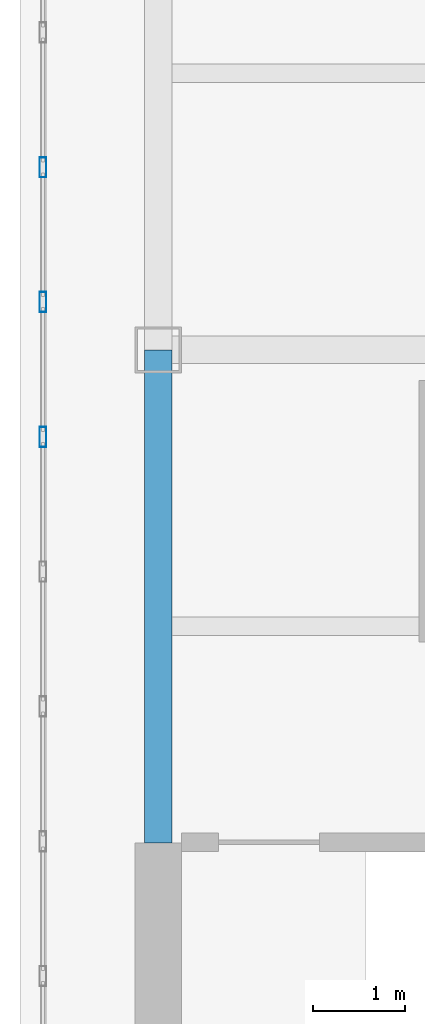
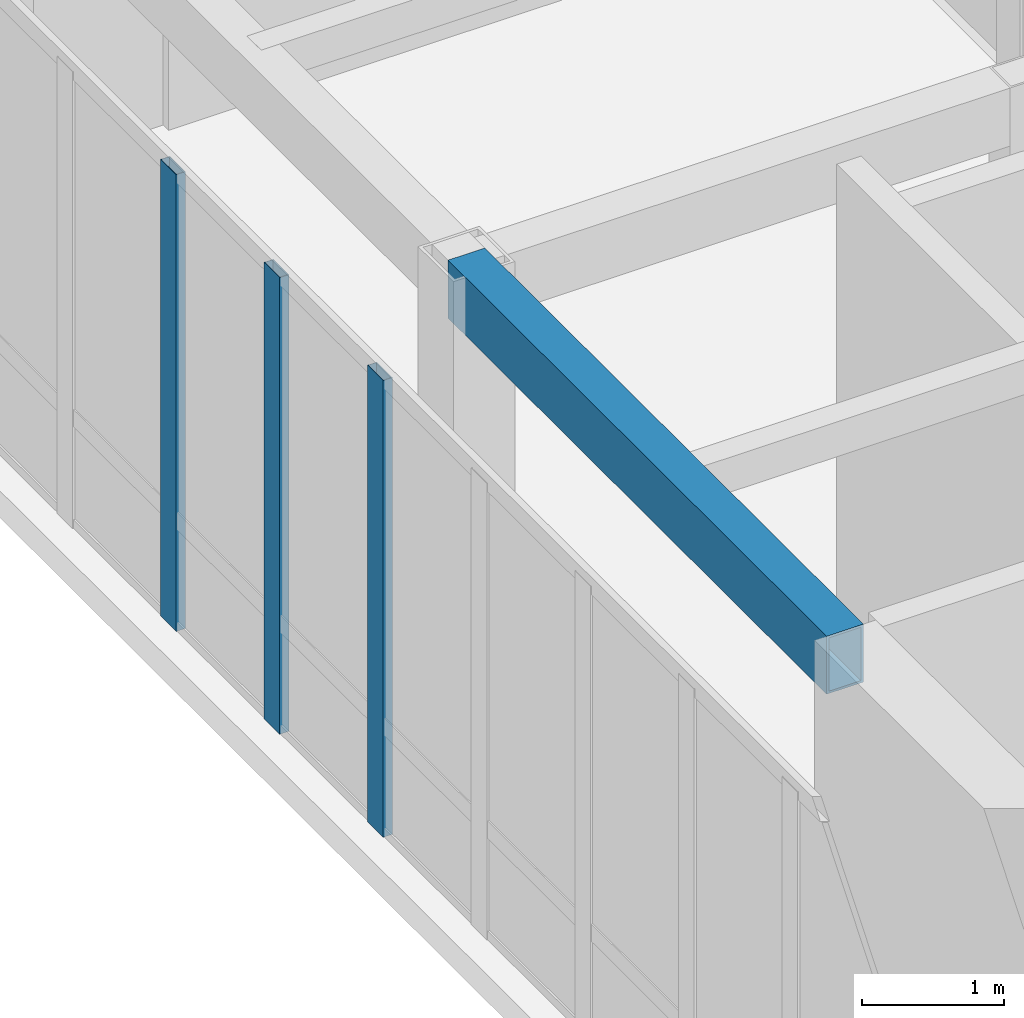
# One storey, part 3 of 13: 3 members, 1 beam, 1 element without a shape of its own.
"""IFC4 building model written with IfcOpenShell, lengths in metres."""

from ifc_helpers import new_model, si_unit, direction, frame, origin, origin_2d, place, context, subcontext, project, spatial, hollow_rectangle, extrude, source, transform, mapped, material, layer, layer_set, material_profile, profile_set, type_object, element, aggregate, save


model = new_model("IFC4")

# Units and contexts
model_context = context("Model", 3, precision=1e-05, world=origin(), true_north=direction((0.0, 1.0)))
body_context = subcontext(model_context, "Body", "Model", "MODEL_VIEW")
ifc_project = project(units=[si_unit("LENGTHUNIT", "METRE"), si_unit("AREAUNIT", "SQUARE_METRE"), si_unit("VOLUMEUNIT", "CUBIC_METRE"), si_unit("PLANEANGLEUNIT", "RADIAN"), si_unit("MASSUNIT", "GRAM", prefix="KILO")], contexts=[model_context])

# Site, building, storey
site_placement = place(None, origin())
site = spatial("IfcSite", under=ifc_project, at=site_placement, CompositionType="ELEMENT")
building_placement = place(site_placement, origin())
building = spatial("IfcBuilding", under=site, at=building_placement, Name="Kharzan Plaza Tower", CompositionType="ELEMENT")
storey_placement = place(building_placement, frame((0.0, 0.0, 298.199951171875)))
storey = spatial("IfcBuildingStorey", under=building, at=storey_placement, Name="L80-CROWN", CompositionType="ELEMENT", Elevation=298.199951171875)

# Beam
ifc_material_1 = material(Name="Steel S355", Category="steel")
ifc_material_profile_1 = material_profile(ifc_material_1, hollow_rectangle(XDim=0.300048828125, YDim=0.5, WallThickness=0.02001953125, at=origin_2d()), Name="RHS500x300x20")
ifc_profile_set_1 = profile_set([ifc_material_profile_1], Name="Steel S355")
beam_type = type_object("IfcBeamType", Name="BM-CRN500", PredefinedType="BEAM", material=ifc_profile_set_1)
shared_shape_1 = source(origin(), body_context, "Body", "SweptSolid", [
    extrude(hollow_rectangle(XDim=0.300048828125, YDim=0.5, WallThickness=0.02001953125, at=origin_2d()), origin(), (0.0, 0.0, 1.0), 5.35009765625),
])
beam_placement = place(storey_placement, frame((4.5, 12.64990234375, 3.68994140625), z_axis=(0.0, 1.0, 0.0), x_axis=(-1.0, 0.0, 0.0)))
element("IfcBeam", 1, at=beam_placement, inside=storey, type_object=beam_type, Name="L80-CROWN CROWN FRAME Lantern Ring Beam CRB-W1", PredefinedType="BEAM", context=body_context, shape_type="MappedRepresentation", body=[
    mapped(shared_shape_1, transform((0.0, 0.0, 0.0), x_axis=(1.0, 0.0, 0.0), y_axis=(0.0, 1.0, 0.0), z_axis=(0.0, 0.0, 1.0))),
])

# Curtain wall, members
ifc_material_2 = material(Name="Unitised Bronze-Anodized Aluminium and Low-E Glass", Category="aluminium")
ifc_layer = layer(ifc_material_2, 0.199951171875)
ifc_layer_set = layer_set([ifc_layer], Name="Unitised Bronze-Anodized Aluminium and Low-E Glass")
curtain_wall_type = type_object("IfcCurtainWallType", Name="CW-LANTERN-6", PredefinedType="NOTDEFINED", material=ifc_layer_set)
curtain_wall_placement = place(storey_placement, origin())
curtain_wall = element("IfcCurtainWall", 2, at=curtain_wall_placement, inside=storey, type_object=curtain_wall_type, Name="L80-CROWN Lantern Crown Illuminated Curtain Wall 4", PredefinedType="NOTDEFINED")
ifc_material_3 = material(Name="Anodized Bronze Aluminium", Category="aluminium")
ifc_material_profile_2 = material_profile(ifc_material_3, hollow_rectangle(XDim=0.074951171875, YDim=0.219970703125, WallThickness=0.00390625, at=origin_2d()), Name="ALU-M220x75x4")
ifc_profile_set_2 = profile_set([ifc_material_profile_2], Name="Anodized Bronze Aluminium")
member_type = type_object("IfcMemberType", Name="MEM-CW-MUL200", PredefinedType="MULLION", material=ifc_profile_set_2)
shared_shape_2 = source(origin(), body_context, "Body", "SweptSolid", [
    extrude(hollow_rectangle(XDim=0.074951171875, YDim=0.219970703125, WallThickness=0.00390625, at=origin_2d()), origin(), (0.0, 0.0, 1.0), 3.93994140625),
])
member_1_placement = place(storey_placement, frame((3.25, 19.981689453125, 0.0), z_axis=(0.0, 0.0, 1.0), x_axis=(1.0, 0.0, 0.0)))
member_1 = element("IfcMember", 3, at=member_1_placement, type_object=member_type, Name="L80-CROWN Curtain-Wall Mullion 09", PredefinedType="MULLION", context=body_context, shape_type="MappedRepresentation", body=[
    mapped(shared_shape_2, transform((0.0, 0.0, 0.0), x_axis=(1.0, 0.0, 0.0), y_axis=(0.0, 1.0, 0.0), z_axis=(0.0, 0.0, 1.0))),
])
member_2_placement = place(storey_placement, frame((3.25, 18.518310546875, 0.0), z_axis=(0.0, 0.0, 1.0), x_axis=(1.0, 0.0, 0.0)))
member_2 = element("IfcMember", 4, at=member_2_placement, type_object=member_type, Name="L80-CROWN Curtain-Wall Mullion 10", PredefinedType="MULLION", context=body_context, shape_type="MappedRepresentation", body=[
    mapped(shared_shape_2, transform((0.0, 0.0, 0.0), x_axis=(1.0, 0.0, 0.0), y_axis=(0.0, 1.0, 0.0), z_axis=(0.0, 0.0, 1.0))),
])
member_3_placement = place(storey_placement, frame((3.25, 17.055419921875, 0.0), z_axis=(0.0, 0.0, 1.0), x_axis=(1.0, 0.0, 0.0)))
member_3 = element("IfcMember", 5, at=member_3_placement, type_object=member_type, Name="L80-CROWN Curtain-Wall Mullion 11", PredefinedType="MULLION", context=body_context, shape_type="MappedRepresentation", body=[
    mapped(shared_shape_2, transform((0.0, 0.0, 0.0), x_axis=(1.0, 0.0, 0.0), y_axis=(0.0, 1.0, 0.0), z_axis=(0.0, 0.0, 1.0))),
])
aggregate(curtain_wall, [member_1, member_2, member_3])

save(model, "model.ifc")
